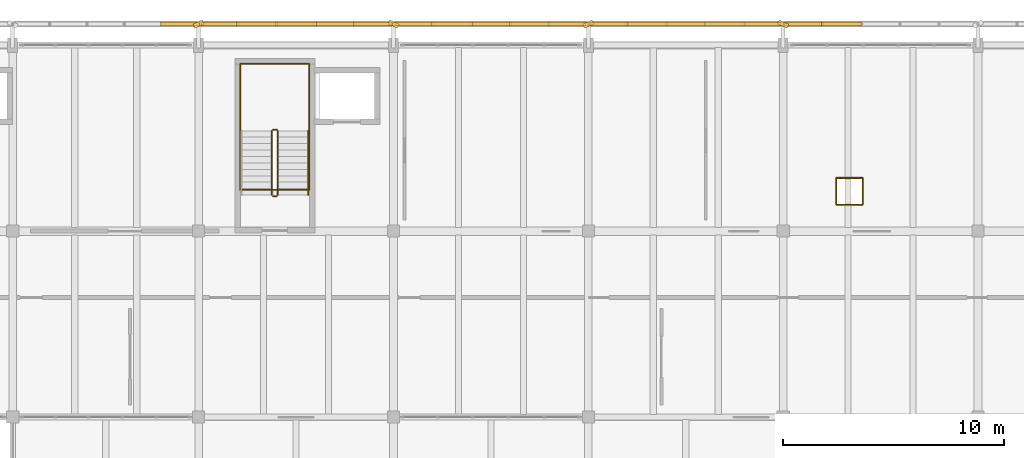
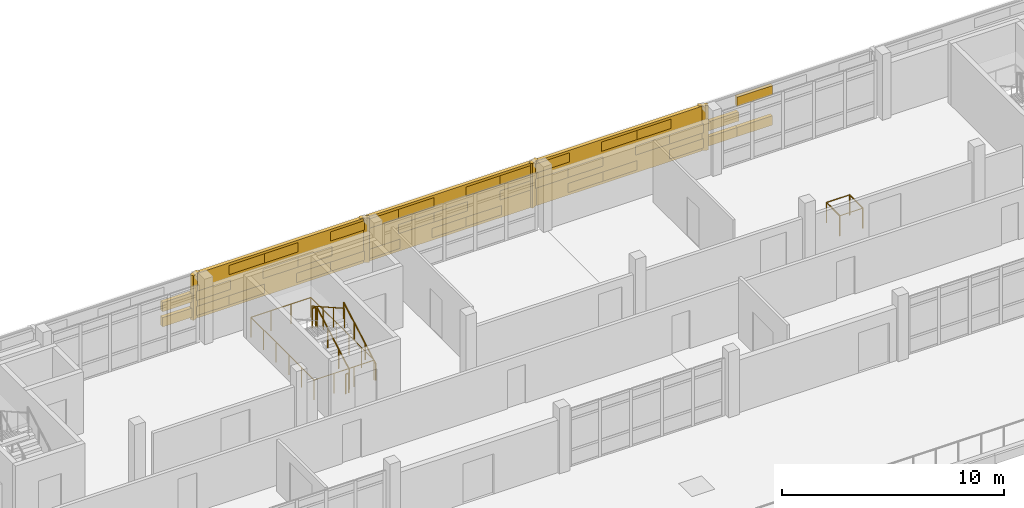
# One storey, part 28 of 30: 40 coverings, 13 railings, 3 shading devices.
"""IFC4 building model written with IfcOpenShell, lengths in metres."""

from ifc_helpers import new_model, si_unit, direction, frame, origin, origin_2d, place, context, subcontext, project, spatial, rectangle, circle, extrude, material, layer, layer_set, type_object, element, save


model = new_model("IFC4")

# Units and contexts
model_context = context("Model", 3, precision=1e-05, world=origin(), true_north=direction((0.0, 1.0)))
body_context = subcontext(model_context, "Body", "Model", "MODEL_VIEW")
ifc_project = project(units=[si_unit("LENGTHUNIT", "METRE"), si_unit("AREAUNIT", "SQUARE_METRE"), si_unit("VOLUMEUNIT", "CUBIC_METRE"), si_unit("PLANEANGLEUNIT", "RADIAN"), si_unit("MASSUNIT", "GRAM", prefix="KILO")], contexts=[model_context])

# Site, building, storey
site_placement = place(None, origin())
site = spatial("IfcSite", under=ifc_project, at=site_placement, CompositionType="ELEMENT")
building_placement = place(site_placement, origin())
building = spatial("IfcBuilding", under=site, at=building_placement, Name="Cinderway Yard Community Centre", CompositionType="ELEMENT")
storey_placement = place(building_placement, frame((0.0, 0.0, 16.5)))
storey = spatial("IfcBuildingStorey", under=building, at=storey_placement, Name="L04", CompositionType="ELEMENT", Elevation=16.5)

# Coverings
ifc_material_1 = material(Name="Brick Masonry", Category="masonry")
ifc_layer = layer(ifc_material_1, 0.18994140625, Name="Brick Masonry")
ifc_layer_set = layer_set([ifc_layer], Name="Brick Masonry")
covering_type = type_object("IfcCoveringType", Name="ENV-COV-BRK-SCREEN", PredefinedType="CLADDING", material=ifc_layer_set)
for number, where, z_axis, x_axis, name in (
    (1, (75.199951171875, 116.14990234375, 0.64990234375), (0.0, 0.0, 1.0), (0.913545457643, 0.406736643076, 0.0), "Deconstructivist folded brick fin 0358"),
    (2, (84.0, 116.14990234375, 0.64990234375), (0.0, 0.0, 1.0), (0.913545457643, -0.406736643076, 0.0), "Deconstructivist folded brick fin 0359"),
    (3, (92.800048828125, 116.14990234375, 0.64990234375), (0.0, 0.0, 1.0), (0.913545457643, 0.406736643076, 0.0), "Deconstructivist folded brick fin 0360"),
    (4, (101.60009765625, 116.14990234375, 0.64990234375), (0.0, 0.0, 1.0), (0.913545457643, -0.406736643076, 0.0), "Deconstructivist folded brick fin 0361"),
):
    element("IfcCovering", number, at=place(storey_placement, frame(where, z_axis=z_axis, x_axis=x_axis)), inside=storey, type_object=covering_type, Name=name, PredefinedType="CLADDING", context=body_context, shape_type="SweptSolid", body=[
        extrude(rectangle(XDim=0.4599609375, YDim=0.199951171875, at=origin_2d()), origin(), (0.0, 0.0, 1.0), 2.449951171875),
    ])
for number, where, z_axis, x_axis, name in (
    (5, (74.360107421875, 116.14990234375, 0.7900390625), (0.0, 0.0, 1.0), (1.0, 0.0, 0.0), "Open-bond perforated brick screen course 00376"),
    (6, (74.360107421875, 116.14990234375, 1.62109375), (0.0, 0.0, 1.0), (1.0, 0.0, 0.0), "Open-bond perforated brick screen course 00380"),
):
    element("IfcCovering", number, at=place(storey_placement, frame(where, z_axis=z_axis, x_axis=x_axis)), inside=storey, type_object=covering_type, Name=name, PredefinedType="CLADDING", context=body_context, shape_type="SweptSolid", body=[
        extrude(rectangle(XDim=1.760009765625, YDim=0.18994140625, at=origin_2d()), origin(), (0.0, 0.0, 1.0), 0.508056640625),
    ])
for number, where, z_axis, x_axis, name in (
    (7, (76.080078125, 116.14990234375, 0.7900390625), (0.0, 0.0, 1.0), (1.0, 0.0, 0.0), "Open-bond perforated brick screen course 00384"),
    (8, (77.840087890625, 116.14990234375, 0.7900390625), (0.0, 0.0, 1.0), (1.0, 0.0, 0.0), "Open-bond perforated brick screen course 00385"),
    (9, (81.360107421875, 116.14990234375, 0.7900390625), (0.0, 0.0, 1.0), (1.0, 0.0, 0.0), "Open-bond perforated brick screen course 00386"),
    (10, (83.1201171875, 116.14990234375, 0.7900390625), (0.0, 0.0, 1.0), (1.0, 0.0, 0.0), "Open-bond perforated brick screen course 00387"),
    (11, (76.080078125, 116.14990234375, 1.62109375), (0.0, 0.0, 1.0), (1.0, 0.0, 0.0), "Open-bond perforated brick screen course 00388"),
    (12, (79.60009765625, 116.14990234375, 1.62109375), (0.0, 0.0, 1.0), (1.0, 0.0, 0.0), "Open-bond perforated brick screen course 00389"),
    (13, (81.360107421875, 116.14990234375, 1.62109375), (0.0, 0.0, 1.0), (1.0, 0.0, 0.0), "Open-bond perforated brick screen course 00390"),
    (14, (77.840087890625, 116.14990234375, 2.4521484375), (0.0, 0.0, 1.0), (1.0, 0.0, 0.0), "Open-bond perforated brick screen course 00391"),
    (15, (79.60009765625, 116.14990234375, 2.4521484375), (0.0, 0.0, 1.0), (1.0, 0.0, 0.0), "Open-bond perforated brick screen course 00392"),
    (16, (83.1201171875, 116.14990234375, 2.4521484375), (0.0, 0.0, 1.0), (1.0, 0.0, 0.0), "Open-bond perforated brick screen course 00393"),
    (17, (84.8798828125, 116.14990234375, 0.7900390625), (0.0, 0.0, 1.0), (1.0, 0.0, 0.0), "Open-bond perforated brick screen course 00394"),
    (18, (88.39990234375, 116.14990234375, 0.7900390625), (0.0, 0.0, 1.0), (1.0, 0.0, 0.0), "Open-bond perforated brick screen course 00395"),
    (19, (90.159912109375, 116.14990234375, 0.7900390625), (0.0, 0.0, 1.0), (1.0, 0.0, 0.0), "Open-bond perforated brick screen course 00396"),
    (20, (86.639892578125, 116.14990234375, 1.62109375), (0.0, 0.0, 1.0), (1.0, 0.0, 0.0), "Open-bond perforated brick screen course 00397"),
    (21, (88.39990234375, 116.14990234375, 1.62109375), (0.0, 0.0, 1.0), (1.0, 0.0, 0.0), "Open-bond perforated brick screen course 00398"),
    (22, (91.919921875, 116.14990234375, 1.62109375), (0.0, 0.0, 1.0), (1.0, 0.0, 0.0), "Open-bond perforated brick screen course 00399"),
    (23, (84.8798828125, 116.14990234375, 2.4521484375), (0.0, 0.0, 1.0), (1.0, 0.0, 0.0), "Open-bond perforated brick screen course 00400"),
    (24, (86.639892578125, 116.14990234375, 2.4521484375), (0.0, 0.0, 1.0), (1.0, 0.0, 0.0), "Open-bond perforated brick screen course 00401"),
    (25, (90.159912109375, 116.14990234375, 2.4521484375), (0.0, 0.0, 1.0), (1.0, 0.0, 0.0), "Open-bond perforated brick screen course 00402"),
    (26, (91.919921875, 116.14990234375, 2.4521484375), (0.0, 0.0, 1.0), (1.0, 0.0, 0.0), "Open-bond perforated brick screen course 00403"),
    (27, (95.43994140625, 116.14990234375, 0.7900390625), (0.0, 0.0, 1.0), (1.0, 0.0, 0.0), "Open-bond perforated brick screen course 00404"),
    (28, (97.199951171875, 116.14990234375, 0.7900390625), (0.0, 0.0, 1.0), (1.0, 0.0, 0.0), "Open-bond perforated brick screen course 00405"),
    (29, (100.719970703125, 116.14990234375, 0.7900390625), (0.0, 0.0, 1.0), (1.0, 0.0, 0.0), "Open-bond perforated brick screen course 00406"),
    (30, (93.679931640625, 116.14990234375, 1.62109375), (0.0, 0.0, 1.0), (1.0, 0.0, 0.0), "Open-bond perforated brick screen course 00407"),
    (31, (95.43994140625, 116.14990234375, 1.62109375), (0.0, 0.0, 1.0), (1.0, 0.0, 0.0), "Open-bond perforated brick screen course 00408"),
    (32, (98.9599609375, 116.14990234375, 1.62109375), (0.0, 0.0, 1.0), (1.0, 0.0, 0.0), "Open-bond perforated brick screen course 00409"),
    (33, (100.719970703125, 116.14990234375, 1.62109375), (0.0, 0.0, 1.0), (1.0, 0.0, 0.0), "Open-bond perforated brick screen course 00410"),
    (34, (93.679931640625, 116.14990234375, 2.4521484375), (0.0, 0.0, 1.0), (1.0, 0.0, 0.0), "Open-bond perforated brick screen course 00411"),
    (35, (97.199951171875, 116.14990234375, 2.4521484375), (0.0, 0.0, 1.0), (1.0, 0.0, 0.0), "Open-bond perforated brick screen course 00412"),
    (36, (98.9599609375, 116.14990234375, 2.4521484375), (0.0, 0.0, 1.0), (1.0, 0.0, 0.0), "Open-bond perforated brick screen course 00413"),
    (37, (102.47998046875, 116.14990234375, 0.7900390625), (0.0, 0.0, 1.0), (1.0, 0.0, 0.0), "Open-bond perforated brick screen course 00414"),
    (38, (104.239990234375, 116.14990234375, 0.7900390625), (0.0, 0.0, 1.0), (1.0, 0.0, 0.0), "Open-bond perforated brick screen course 00415"),
    (39, (102.47998046875, 116.14990234375, 1.62109375), (0.0, 0.0, 1.0), (1.0, 0.0, 0.0), "Open-bond perforated brick screen course 00418"),
    (40, (104.239990234375, 116.14990234375, 2.4521484375), (0.0, 0.0, 1.0), (1.0, 0.0, 0.0), "Open-bond perforated brick screen course 00421"),
):
    element("IfcCovering", number, at=place(storey_placement, frame(where, z_axis=z_axis, x_axis=x_axis)), inside=storey, type_object=covering_type, Name=name, PredefinedType="CLADDING", context=body_context, shape_type="SweptSolid", body=[
        extrude(rectangle(XDim=1.840087890625, YDim=0.18994140625, at=origin_2d()), origin(), (0.0, 0.0, 1.0), 0.508056640625),
    ])

# Shading devices
shading_device_type = type_object("IfcShadingDeviceType", Name="ENV-SHD-BRICKSCREEN-A", PredefinedType="USERDEFINED", material=ifc_material_1)
for number, where, z_axis, x_axis, name in (
    (41, (79.60009765625, 116.14990234375, 0.64990234375), (0.0, 0.0, 1.0), (1.0, 0.0, 0.0), "Street Perforated Brick Screen 0284"),
    (42, (88.39990234375, 116.14990234375, 0.64990234375), (0.0, 0.0, 1.0), (1.0, 0.0, 0.0), "Street Perforated Brick Screen 0292"),
    (43, (97.199951171875, 116.14990234375, 0.64990234375), (0.0, 0.0, 1.0), (1.0, 0.0, 0.0), "Street Perforated Brick Screen 0300"),
):
    element("IfcShadingDevice", number, at=place(storey_placement, frame(where, z_axis=z_axis, x_axis=x_axis)), inside=storey, type_object=shading_device_type, Name=name, ObjectType="PERFORATED BRICK SCREEN", PredefinedType="USERDEFINED", context=body_context, shape_type="SweptSolid", body=[
        extrude(rectangle(XDim=8.60009765625, YDim=0.18994140625, at=origin_2d()), origin(), (0.0, 0.0, 1.0), 2.449951171875),
    ])

# Railings
ifc_material_2 = material(Name="Painted Galvanised Steel", Category="steel")
railing_type_1 = type_object("IfcRailingType", Name="INT-RAL-GRD112", PredefinedType="GUARDRAIL", material=ifc_material_2)
railing_1_placement = place(storey_placement, frame((78.77001953125, 108.429931640625, 0.16357421875)))
element("IfcRailing", 44, at=railing_1_placement, inside=storey, type_object=railing_type_1, Name="L04 ST-02 stair guard 1", PredefinedType="GUARDRAIL", context=body_context, shape_type="SweptSolid", body=[
    extrude(circle(Radius=0.02392578125, at=origin_2d()), frame((0.0, 0.0, 1.076171875), z_axis=(0.0, 0.870914908162, 0.491433843708), x_axis=(-1.0, 0.0, 0.0)), (0.0, 0.0, 1.0), 3.330078125),
    extrude(circle(Radius=0.02099609375, at=origin_2d()), origin(), (0.0, 0.0, 1.0), 1.052001953125),
    extrude(circle(Radius=0.02099609375, at=origin_2d()), frame((0.0, 0.966796875, 0.54541015625)), (0.0, 0.0, 1.0), 1.052001953125),
    extrude(circle(Radius=0.02099609375, at=origin_2d()), frame((0.0, 1.933349609375, 1.091064453125)), (0.0, 0.0, 1.0), 1.052001953125),
    extrude(circle(Radius=0.02099609375, at=origin_2d()), frame((0.0, 2.900146484375, 1.636474609375)), (0.0, 0.0, 1.0), 1.052001953125),
])
railing_2_placement = place(storey_placement, frame((78.719970703125, 111.3798828125, 1.800048828125)))
element("IfcRailing", 45, at=railing_2_placement, inside=storey, type_object=railing_type_1, Name="L04 ST-02 stair guard 2", PredefinedType="GUARDRAIL", context=body_context, shape_type="SweptSolid", body=[
    extrude(circle(Radius=0.02392578125, at=origin_2d()), frame((0.0, 0.0, 1.076171875), z_axis=(-1.0, 0.0, 0.0), x_axis=(0.0, -1.0, 0.0)), (0.0, 0.0, 1.0), 0.159912109375),
    extrude(circle(Radius=0.02099609375, at=origin_2d()), origin(), (0.0, 0.0, 1.0), 1.052001953125),
    extrude(circle(Radius=0.02099609375, at=origin_2d()), frame((-0.159912109375, 0.0, 0.0)), (0.0, 0.0, 1.0), 1.052001953125),
])
railing_3_placement = place(storey_placement, frame((78.510009765625, 111.330078125, 1.963623046875)))
element("IfcRailing", 46, at=railing_3_placement, inside=storey, type_object=railing_type_1, Name="L04 ST-02 stair guard 3", PredefinedType="GUARDRAIL", context=body_context, shape_type="SweptSolid", body=[
    extrude(circle(Radius=0.02392578125, at=origin_2d()), frame((0.0, 0.0, 1.076171875), z_axis=(0.0, -0.870914908162, 0.491433843708), x_axis=(1.0, 0.0, 0.0)), (0.0, 0.0, 1.0), 3.330078125),
    extrude(circle(Radius=0.02099609375, at=origin_2d()), origin(), (0.0, 0.0, 1.0), 1.052001953125),
    extrude(circle(Radius=0.02099609375, at=origin_2d()), frame((0.0, -0.966796875, 0.54541015625)), (0.0, 0.0, 1.0), 1.052001953125),
    extrude(circle(Radius=0.02099609375, at=origin_2d()), frame((0.0, -1.933349609375, 1.091064453125)), (0.0, 0.0, 1.0), 1.052001953125),
    extrude(circle(Radius=0.02099609375, at=origin_2d()), frame((0.0, -2.900146484375, 1.636474609375)), (0.0, 0.0, 1.0), 1.052001953125),
])
railing_4_placement = place(storey_placement, frame((78.719970703125, 108.3798828125, 0.0)))
element("IfcRailing", 47, at=railing_4_placement, inside=storey, type_object=railing_type_1, Name="L04 ST-02 stair guard 4", PredefinedType="GUARDRAIL", context=body_context, shape_type="SweptSolid", body=[
    extrude(circle(Radius=0.02392578125, at=origin_2d()), frame((0.0, 0.0, 1.076171875), z_axis=(-1.0, 0.0, 0.0), x_axis=(0.0, -1.0, 0.0)), (0.0, 0.0, 1.0), 0.159912109375),
    extrude(circle(Radius=0.02099609375, at=origin_2d()), origin(), (0.0, 0.0, 1.0), 1.052001953125),
    extrude(circle(Radius=0.02099609375, at=origin_2d()), frame((-0.159912109375, 0.0, 0.0)), (0.0, 0.0, 1.0), 1.052001953125),
])
railing_5_placement = place(storey_placement, frame((80.199951171875, 108.669921875, 0.0)))
element("IfcRailing", 48, at=railing_5_placement, inside=storey, type_object=railing_type_1, Name="Service void perimeter guard L04 191", PredefinedType="GUARDRAIL", context=body_context, shape_type="SweptSolid", body=[
    extrude(circle(Radius=0.02392578125, at=origin_2d()), frame((0.0, 0.0, 1.09619140625), z_axis=(0.0, 1.0, 0.0), x_axis=(-1.0, 0.0, 0.0)), (0.0, 0.0, 1.0), 5.68017578125),
    extrude(circle(Radius=0.02099609375, at=origin_2d()), origin(), (0.0, 0.0, 1.0), 1.072021484375),
    extrude(circle(Radius=0.02099609375, at=origin_2d()), frame((0.0, 1.135986328125, 0.0)), (0.0, 0.0, 1.0), 1.072021484375),
    extrude(circle(Radius=0.02099609375, at=origin_2d()), frame((0.0, 2.27197265625, 0.0)), (0.0, 0.0, 1.0), 1.072021484375),
    extrude(circle(Radius=0.02099609375, at=origin_2d()), frame((0.0, 3.408203125, 0.0)), (0.0, 0.0, 1.0), 1.072021484375),
    extrude(circle(Radius=0.02099609375, at=origin_2d()), frame((0.0, 4.544189453125, 0.0)), (0.0, 0.0, 1.0), 1.072021484375),
    extrude(circle(Radius=0.02099609375, at=origin_2d()), frame((0.0, 5.68017578125, 0.0)), (0.0, 0.0, 1.0), 1.072021484375),
])
railing_6_placement = place(storey_placement, frame((80.199951171875, 114.35009765625, 0.0)))
element("IfcRailing", 49, at=railing_6_placement, inside=storey, type_object=railing_type_1, Name="Service void perimeter guard L04 192", PredefinedType="GUARDRAIL", context=body_context, shape_type="SweptSolid", body=[
    extrude(circle(Radius=0.02392578125, at=origin_2d()), frame((0.0, 0.0, 1.09619140625), z_axis=(-1.0, 0.0, 0.0), x_axis=(0.0, -1.0, 0.0)), (0.0, 0.0, 1.0), 3.119873046875),
    extrude(circle(Radius=0.02099609375, at=origin_2d()), origin(), (0.0, 0.0, 1.0), 1.072021484375),
    extrude(circle(Radius=0.02099609375, at=origin_2d()), frame((-1.0400390625, 0.0, 0.0)), (0.0, 0.0, 1.0), 1.072021484375),
    extrude(circle(Radius=0.02099609375, at=origin_2d()), frame((-2.079833984375, 0.0, 0.0)), (0.0, 0.0, 1.0), 1.072021484375),
    extrude(circle(Radius=0.02099609375, at=origin_2d()), frame((-3.119873046875, 0.0, 0.0)), (0.0, 0.0, 1.0), 1.072021484375),
])
railing_7_placement = place(storey_placement, frame((77.080078125, 114.35009765625, 0.0)))
element("IfcRailing", 50, at=railing_7_placement, inside=storey, type_object=railing_type_1, Name="Service void perimeter guard L04 193", PredefinedType="GUARDRAIL", context=body_context, shape_type="SweptSolid", body=[
    extrude(circle(Radius=0.02392578125, at=origin_2d()), frame((0.0, 0.0, 1.09619140625), z_axis=(0.0, -1.0, 0.0), x_axis=(1.0, 0.0, 0.0)), (0.0, 0.0, 1.0), 5.68017578125),
    extrude(circle(Radius=0.02099609375, at=origin_2d()), origin(), (0.0, 0.0, 1.0), 1.072021484375),
    extrude(circle(Radius=0.02099609375, at=origin_2d()), frame((0.0, -1.135986328125, 0.0)), (0.0, 0.0, 1.0), 1.072021484375),
    extrude(circle(Radius=0.02099609375, at=origin_2d()), frame((0.0, -2.27197265625, 0.0)), (0.0, 0.0, 1.0), 1.072021484375),
    extrude(circle(Radius=0.02099609375, at=origin_2d()), frame((0.0, -3.408203125, 0.0)), (0.0, 0.0, 1.0), 1.072021484375),
    extrude(circle(Radius=0.02099609375, at=origin_2d()), frame((0.0, -4.544189453125, 0.0)), (0.0, 0.0, 1.0), 1.072021484375),
    extrude(circle(Radius=0.02099609375, at=origin_2d()), frame((0.0, -5.68017578125, 0.0)), (0.0, 0.0, 1.0), 1.072021484375),
])
railing_8_placement = place(storey_placement, frame((77.080078125, 108.669921875, 0.0)))
element("IfcRailing", 51, at=railing_8_placement, inside=storey, type_object=railing_type_1, Name="Service void perimeter guard L04 194", PredefinedType="GUARDRAIL", context=body_context, shape_type="SweptSolid", body=[
    extrude(circle(Radius=0.02392578125, at=origin_2d()), frame((0.0, 0.0, 1.09619140625), z_axis=(1.0, 0.0, 0.0), x_axis=(0.0, 1.0, 0.0)), (0.0, 0.0, 1.0), 3.119873046875),
    extrude(circle(Radius=0.02099609375, at=origin_2d()), origin(), (0.0, 0.0, 1.0), 1.072021484375),
    extrude(circle(Radius=0.02099609375, at=origin_2d()), frame((1.0400390625, 0.0, 0.0)), (0.0, 0.0, 1.0), 1.072021484375),
    extrude(circle(Radius=0.02099609375, at=origin_2d()), frame((2.079833984375, 0.0, 0.0)), (0.0, 0.0, 1.0), 1.072021484375),
    extrude(circle(Radius=0.02099609375, at=origin_2d()), frame((3.119873046875, 0.0, 0.0)), (0.0, 0.0, 1.0), 1.072021484375),
])
railing_9_placement = place(storey_placement, frame((104.0, 108.0, 0.0)))
element("IfcRailing", 52, at=railing_9_placement, inside=storey, type_object=railing_type_1, Name="Service void perimeter guard L04 203", PredefinedType="GUARDRAIL", context=body_context, shape_type="SweptSolid", body=[
    extrude(circle(Radius=0.02392578125, at=origin_2d()), frame((0.0, 0.0, 1.09619140625), z_axis=(1.0, 0.0, 0.0), x_axis=(0.0, 1.0, 0.0)), (0.0, 0.0, 1.0), 1.199951171875),
    extrude(circle(Radius=0.02099609375, at=origin_2d()), origin(), (0.0, 0.0, 1.0), 1.072021484375),
    extrude(circle(Radius=0.02099609375, at=origin_2d()), frame((1.199951171875, 0.0, 0.0)), (0.0, 0.0, 1.0), 1.072021484375),
])
railing_10_placement = place(storey_placement, frame((105.199951171875, 108.0, 0.0)))
element("IfcRailing", 53, at=railing_10_placement, inside=storey, type_object=railing_type_1, Name="Service void perimeter guard L04 204", PredefinedType="GUARDRAIL", context=body_context, shape_type="SweptSolid", body=[
    extrude(circle(Radius=0.02392578125, at=origin_2d()), frame((0.0, 0.0, 1.09619140625), z_axis=(0.0, 1.0, 0.0), x_axis=(-1.0, 0.0, 0.0)), (0.0, 0.0, 1.0), 1.199951171875),
    extrude(circle(Radius=0.02099609375, at=origin_2d()), origin(), (0.0, 0.0, 1.0), 1.072021484375),
    extrude(circle(Radius=0.02099609375, at=origin_2d()), frame((0.0, 1.199951171875, 0.0)), (0.0, 0.0, 1.0), 1.072021484375),
])
railing_11_placement = place(storey_placement, frame((105.199951171875, 109.199951171875, 0.0)))
element("IfcRailing", 54, at=railing_11_placement, inside=storey, type_object=railing_type_1, Name="Service void perimeter guard L04 205", PredefinedType="GUARDRAIL", context=body_context, shape_type="SweptSolid", body=[
    extrude(circle(Radius=0.02392578125, at=origin_2d()), frame((0.0, 0.0, 1.09619140625), z_axis=(-1.0, 0.0, 0.0), x_axis=(0.0, -1.0, 0.0)), (0.0, 0.0, 1.0), 1.199951171875),
    extrude(circle(Radius=0.02099609375, at=origin_2d()), origin(), (0.0, 0.0, 1.0), 1.072021484375),
    extrude(circle(Radius=0.02099609375, at=origin_2d()), frame((-1.199951171875, 0.0, 0.0)), (0.0, 0.0, 1.0), 1.072021484375),
])
railing_12_placement = place(storey_placement, frame((104.0, 109.199951171875, 0.0)))
element("IfcRailing", 55, at=railing_12_placement, inside=storey, type_object=railing_type_1, Name="Service void perimeter guard L04 206", PredefinedType="GUARDRAIL", context=body_context, shape_type="SweptSolid", body=[
    extrude(circle(Radius=0.02392578125, at=origin_2d()), frame((0.0, 0.0, 1.09619140625), z_axis=(0.0, -1.0, 0.0), x_axis=(1.0, 0.0, 0.0)), (0.0, 0.0, 1.0), 1.199951171875),
    extrude(circle(Radius=0.02099609375, at=origin_2d()), origin(), (0.0, 0.0, 1.0), 1.072021484375),
    extrude(circle(Radius=0.02099609375, at=origin_2d()), frame((0.0, -1.199951171875, 0.0)), (0.0, 0.0, 1.0), 1.072021484375),
])
railing_type_2 = type_object("IfcRailingType", Name="INT-RAL-HND090", PredefinedType="HANDRAIL", material=ifc_material_2)
railing_13_placement = place(storey_placement, frame((80.14990234375, 108.429931640625, 0.16357421875)))
element("IfcRailing", 56, at=railing_13_placement, inside=storey, type_object=railing_type_2, Name="L04 ST-02 stair handrail 1", PredefinedType="HANDRAIL", context=body_context, shape_type="SweptSolid", body=[
    extrude(circle(Radius=0.02392578125, at=origin_2d()), frame((0.0, 0.0, 0.8759765625), z_axis=(0.0, 0.870914908162, 0.491433843708), x_axis=(-1.0, 0.0, 0.0)), (0.0, 0.0, 1.0), 3.330078125),
    extrude(circle(Radius=0.02099609375, at=origin_2d()), origin(), (0.0, 0.0, 1.0), 0.851806640625),
    extrude(circle(Radius=0.02099609375, at=origin_2d()), frame((0.0, 0.966796875, 0.54541015625)), (0.0, 0.0, 1.0), 0.851806640625),
    extrude(circle(Radius=0.02099609375, at=origin_2d()), frame((0.0, 1.933349609375, 1.091064453125)), (0.0, 0.0, 1.0), 0.851806640625),
    extrude(circle(Radius=0.02099609375, at=origin_2d()), frame((0.0, 2.900146484375, 1.636474609375)), (0.0, 0.0, 1.0), 0.851806640625),
])

save(model, "model.ifc")
